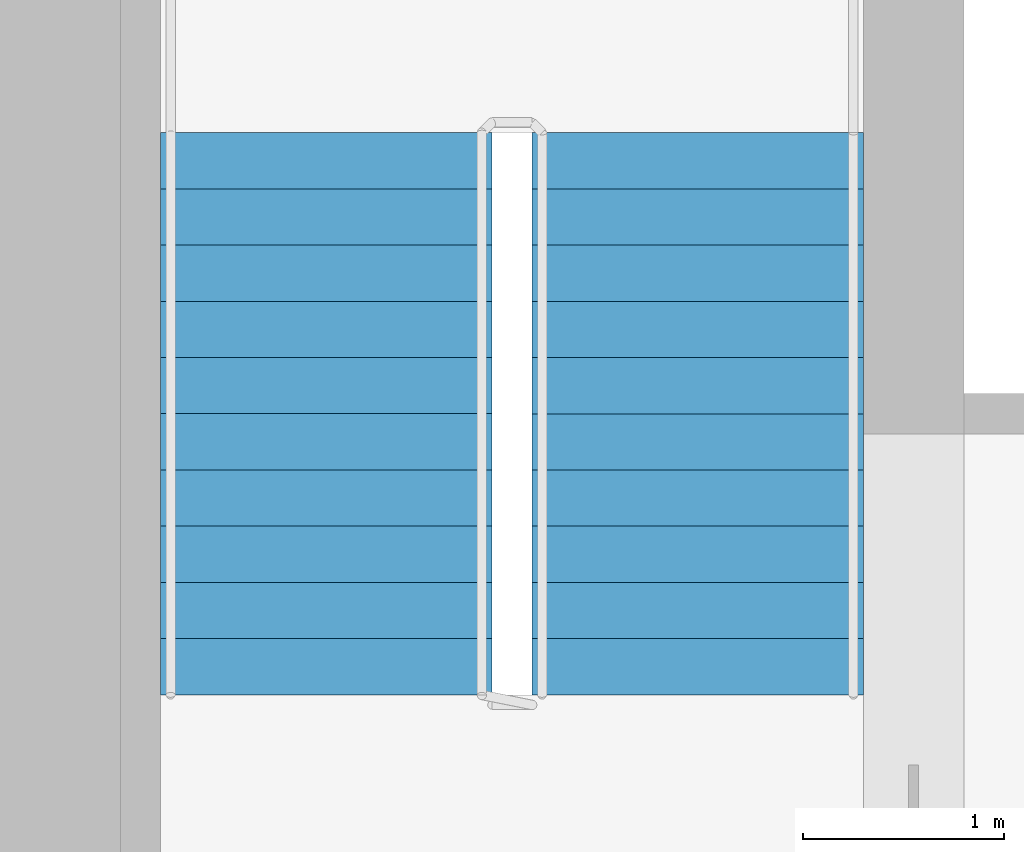
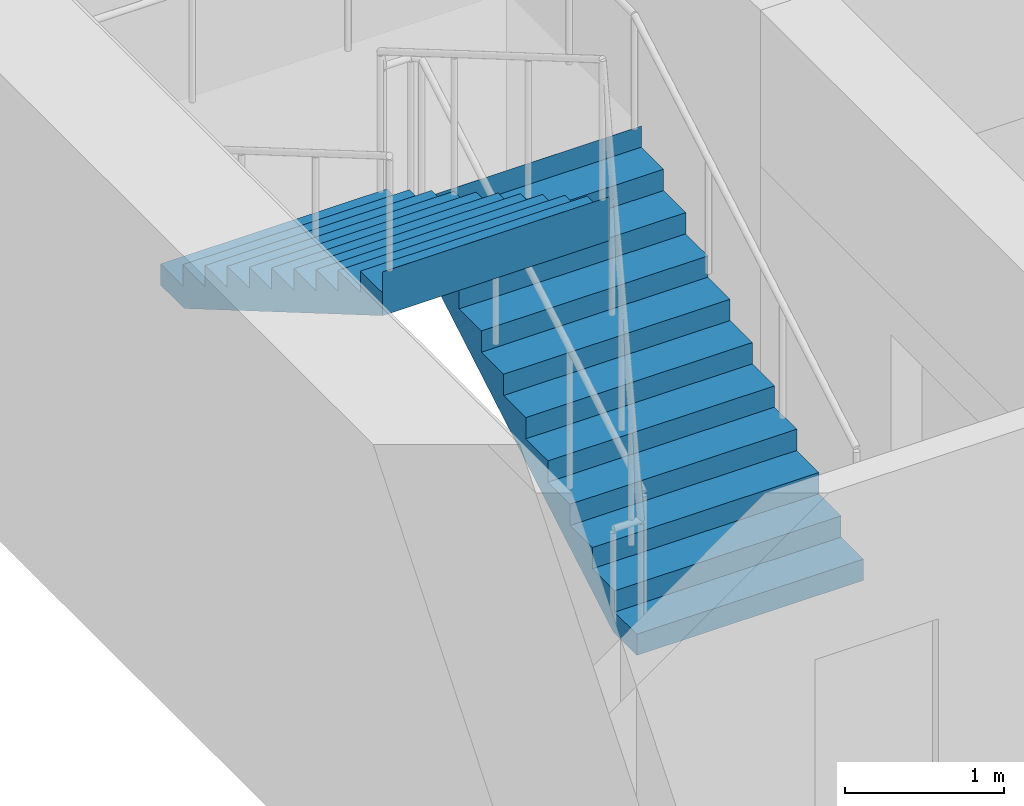
# One storey, part 13 of 14: 2 stair flights, 1 element without a shape of its own.
"""IFC4 building model written with IfcOpenShell, lengths in metres."""

from ifc_helpers import new_model, si_unit, direction, frame, origin, place, context, subcontext, project, spatial, polyline, outline, extrude, material, type_object, element, aggregate, save


model = new_model("IFC4")

# Units and contexts
model_context = context("Model", 3, precision=1e-05, world=origin(), true_north=direction((0.0, 1.0)))
body_context = subcontext(model_context, "Body", "Model", "MODEL_VIEW")
ifc_project = project(units=[si_unit("LENGTHUNIT", "METRE"), si_unit("AREAUNIT", "SQUARE_METRE"), si_unit("VOLUMEUNIT", "CUBIC_METRE"), si_unit("PLANEANGLEUNIT", "RADIAN"), si_unit("MASSUNIT", "GRAM", prefix="KILO")], contexts=[model_context])

# Site, building, storey
site_placement = place(None, origin())
site = spatial("IfcSite", under=ifc_project, at=site_placement, CompositionType="ELEMENT")
building_placement = place(site_placement, origin())
building = spatial("IfcBuilding", under=site, at=building_placement, Name="Tamorin Gate", CompositionType="ELEMENT")
storey_placement = place(building_placement, frame((0.0, 0.0, 155.39990234375)))
storey = spatial("IfcBuildingStorey", under=building, at=storey_placement, Name="L38", CompositionType="ELEMENT", Elevation=155.39990234375)

# Stair, stair flights
ifc_material = material(Name="Concrete C40/50", Category="concrete")
stair_type = type_object("IfcStairType", Name="Exit stair", PredefinedType="HALF_TURN_STAIR", material=ifc_material)
stair_placement = place(storey_placement, origin())
stair = element("IfcStair", 1, at=stair_placement, inside=storey, type_object=stair_type, Name="L38 stair ST2", PredefinedType="HALF_TURN_STAIR")
stair_flight_type = type_object("IfcStairFlightType", Name="Exit stair flight", PredefinedType="STRAIGHT", material=ifc_material)
stair_flight_1_placement = place(storey_placement, frame((33.675048828125, 77.0, 0.0), z_axis=(0.0, 0.0, 1.0), x_axis=(0.0, 1.0, 0.0)))
stair_flight_1 = element("IfcStairFlight", 2, at=stair_flight_1_placement, type_object=stair_flight_type, Name="ST2 flight 1", NumberOfRisers=11, NumberOfTreads=10, PredefinedType="STRAIGHT", RiserHeight=0.163636364, TreadLength=0.28, context=body_context, shape_type="SweptSolid", body=[
    extrude(outline(polyline([(-0.00048828125, 0.0), (-0.00048828125, 0.001708984375), (-0.00048828125, 0.003173828125), (-0.00048828125, 0.0048828125), (-0.00048828125, 0.006591796875), (-0.00048828125, 0.008056640625), (-0.00048828125, 0.009765625), (-0.00048828125, 0.01123046875), (-0.00048828125, 0.012939453125), (-0.00048828125, 0.0146484375), (-0.00048828125, 0.01611328125), (-0.00048828125, 0.017822265625), (-0.00048828125, 0.01953125), (-0.00048828125, 0.02099609375), (-0.00048828125, 0.022705078125), (-0.00048828125, 0.0244140625), (-0.00048828125, 0.02587890625), (-0.00048828125, 0.027587890625), (-0.00048828125, 0.029052734375), (-0.00048828125, 0.03076171875), (-0.00048828125, 0.032470703125), (-0.00048828125, 0.033935546875), (-0.00048828125, 0.03564453125), (-0.00048828125, 0.037353515625), (-0.00048828125, 0.038818359375), (-0.00048828125, 0.04052734375), (-0.00048828125, 0.042236328125), (-0.00048828125, 0.043701171875), (-0.00048828125, 0.04541015625), (-0.00048828125, 0.046875), (-0.00048828125, 0.048583984375), (-0.00048828125, 0.05029296875), (-0.00048828125, 0.0517578125), (-0.00048828125, 0.053466796875), (-0.00048828125, 0.05517578125), (-0.00048828125, 0.056640625), (-0.00048828125, 0.058349609375), (-0.00048828125, 0.06005859375), (-0.00048828125, 0.0615234375), (-0.00048828125, 0.063232421875), (-0.00048828125, 0.064697265625), (-0.00048828125, 0.06640625), (-0.00048828125, 0.068115234375), (-0.00048828125, 0.069580078125), (-0.00048828125, 0.0712890625), (-0.00048828125, 0.072998046875), (-0.00048828125, 0.074462890625), (-0.00048828125, 0.076171875), (-0.00048828125, 0.077880859375), (-0.00048828125, 0.079345703125), (-0.00048828125, 0.0810546875), (-0.00048828125, 0.08251953125), (-0.00048828125, 0.084228515625), (-0.00048828125, 0.0859375), (-0.00048828125, 0.08740234375), (-0.00048828125, 0.089111328125), (-0.00048828125, 0.0908203125), (-0.00048828125, 0.09228515625), (-0.00048828125, 0.093994140625), (-0.00048828125, 0.095703125), (-0.00048828125, 0.09716796875), (-0.00048828125, 0.098876953125), (-0.00048828125, 0.100341796875), (-0.00048828125, 0.10205078125), (-0.00048828125, 0.103759765625), (-0.00048828125, 0.105224609375), (-0.00048828125, 0.10693359375), (-0.00048828125, 0.108642578125), (-0.00048828125, 0.110107421875), (-0.00048828125, 0.11181640625), (-0.00048828125, 0.113525390625), (-0.00048828125, 0.114990234375), (-0.00048828125, 0.11669921875), (-0.00048828125, 0.1181640625), (-0.00048828125, 0.119873046875), (-0.00048828125, 0.12158203125), (-0.00048828125, 0.123046875), (-0.00048828125, 0.124755859375), (-0.00048828125, 0.12646484375), (-0.00048828125, 0.1279296875), (-0.00048828125, 0.129638671875), (-0.00048828125, 0.13134765625), (-0.00048828125, 0.1328125), (-0.00048828125, 0.134521484375), (-0.00048828125, 0.135986328125), (-0.00048828125, 0.1376953125), (-0.00048828125, 0.139404296875), (-0.00048828125, 0.140869140625), (-0.00048828125, 0.142578125), (-0.00048828125, 0.144287109375), (-0.00048828125, 0.145751953125), (-0.00048828125, 0.1474609375), (-0.00048828125, 0.149169921875), (-0.00048828125, 0.150634765625), (-0.00048828125, 0.15234375), (-0.00048828125, 0.15380859375), (-0.00048828125, 0.155517578125), (-0.00048828125, 0.1572265625), (-0.00048828125, 0.15869140625), (-0.00048828125, 0.160400390625), (-0.00048828125, 0.162109375), (-0.00048828125, 0.16357421875), (0.280029296875, 0.16357421875), (0.280029296875, 0.327392578125), (0.56005859375, 0.327392578125), (0.56005859375, 0.490966796875), (0.840087890625, 0.490966796875), (0.840087890625, 0.654541015625), (1.1201171875, 0.654541015625), (1.1201171875, 0.818115234375), (1.39990234375, 0.818115234375), (1.39990234375, 0.98193359375), (1.679931640625, 0.98193359375), (1.679931640625, 1.1455078125), (1.9599609375, 1.1455078125), (1.9599609375, 1.30908203125), (2.239990234375, 1.30908203125), (2.239990234375, 1.47265625), (2.52001953125, 1.47265625), (2.52001953125, 1.636474609375), (2.800048828125, 1.636474609375), (2.800048828125, 1.800048828125), (2.800537109375, 1.800048828125), (2.800537109375, 1.796630859375), (2.800537109375, 1.793212890625), (2.800537109375, 1.7900390625), (2.800537109375, 1.78662109375), (2.800537109375, 1.783203125), (2.800537109375, 1.780029296875), (2.800537109375, 1.776611328125), (2.800537109375, 1.773193359375), (2.800537109375, 1.77001953125), (2.800537109375, 1.7666015625), (2.800537109375, 1.76318359375), (2.800537109375, 1.760009765625), (2.800537109375, 1.756591796875), (2.800537109375, 1.753173828125), (2.800537109375, 1.75), (2.800537109375, 1.74658203125), (2.800537109375, 1.7431640625), (2.800537109375, 1.739990234375), (2.800537109375, 1.736572265625), (2.800537109375, 1.733154296875), (2.800537109375, 1.72998046875), (2.800537109375, 1.7265625), (2.800537109375, 1.72314453125), (2.800537109375, 1.719970703125), (2.800537109375, 1.716552734375), (2.800537109375, 1.713134765625), (2.800537109375, 1.7099609375), (2.800537109375, 1.70654296875), (2.800537109375, 1.703125), (2.800537109375, 1.69970703125), (2.800537109375, 1.696533203125), (2.800537109375, 1.693115234375), (2.800537109375, 1.689697265625), (2.800537109375, 1.6865234375), (2.800537109375, 1.68310546875), (2.800537109375, 1.6796875), (2.800537109375, 1.676513671875), (2.800537109375, 1.673095703125), (2.800537109375, 1.669677734375), (2.800537109375, 1.66650390625), (2.800537109375, 1.6630859375), (2.800537109375, 1.65966796875), (2.800537109375, 1.656494140625), (2.800537109375, 1.653076171875), (2.800537109375, 1.649658203125), (2.800537109375, 1.646484375), (2.800537109375, 1.64306640625), (2.800537109375, 1.6396484375), (2.800537109375, 1.636474609375), (2.800537109375, 1.633056640625), (2.800537109375, 1.629638671875), (2.800537109375, 1.62646484375), (2.800537109375, 1.623046875), (2.800537109375, 1.61962890625), (2.800537109375, 1.616455078125), (2.800537109375, 1.613037109375), (2.800537109375, 1.609619140625), (2.800537109375, 1.6064453125), (2.800537109375, 1.60302734375), (2.800537109375, 1.599609375), (2.800537109375, 1.59619140625), (2.800537109375, 1.593017578125), (2.800537109375, 1.589599609375), (2.800537109375, 1.586181640625), (2.800537109375, 1.5830078125), (2.800537109375, 1.57958984375), (2.800537109375, 1.576171875), (2.800537109375, 1.572998046875), (2.800537109375, 1.569580078125), (2.800537109375, 1.566162109375), (2.800537109375, 1.56298828125), (2.800537109375, 1.5595703125), (2.800537109375, 1.55615234375), (2.800537109375, 1.552978515625), (2.800537109375, 1.549560546875), (2.800537109375, 1.546142578125), (2.800537109375, 1.54296875), (2.800537109375, 1.53955078125), (2.800537109375, 1.5361328125), (2.800537109375, 1.532958984375), (2.800537109375, 1.529541015625), (2.800537109375, 1.526123046875), (2.800537109375, 1.52294921875), (2.800537109375, 1.51953125), (2.800537109375, 1.51611328125), (2.800537109375, 1.512939453125), (2.800537109375, 1.509521484375), (2.800537109375, 1.506103515625), (2.800537109375, 1.5029296875), (2.800537109375, 1.49951171875), (2.800537109375, 1.49609375), (2.800537109375, 1.49267578125), (2.800537109375, 1.489501953125), (2.800537109375, 1.486083984375), (2.800537109375, 1.482666015625), (2.800537109375, 1.4794921875), (2.800537109375, 1.47607421875), (2.800537109375, 1.47265625), (2.800537109375, 1.469482421875), (2.800537109375, 1.466064453125), (2.800537109375, 1.462646484375), (2.800048828125, 1.462646484375), (0.297119140625, 0.0), (-0.00048828125, 0.0)])), frame((0.0, 0.824951171875, 0.0), z_axis=(0.0, -1.0, 0.0), x_axis=(1.0, 0.0, 0.0)), (0.0, 0.0, 1.0), 1.64990234375),
])
stair_flight_2_placement = place(storey_placement, frame((31.824951171875, 79.800048828125, 1.800048828125), z_axis=(0.0, 0.0, 1.0), x_axis=(0.0, -1.0, 0.0)))
stair_flight_2 = element("IfcStairFlight", 3, at=stair_flight_2_placement, type_object=stair_flight_type, Name="ST2 flight 2", NumberOfRisers=11, NumberOfTreads=10, PredefinedType="STRAIGHT", RiserHeight=0.163636364, TreadLength=0.28, context=body_context, shape_type="SweptSolid", body=[
    extrude(outline(polyline([(-0.00048828125, 0.0), (-0.00048828125, 0.001708984375), (-0.00048828125, 0.003173828125), (-0.00048828125, 0.0048828125), (-0.00048828125, 0.006591796875), (-0.00048828125, 0.008056640625), (-0.00048828125, 0.009765625), (-0.00048828125, 0.01123046875), (-0.00048828125, 0.012939453125), (-0.00048828125, 0.0146484375), (-0.00048828125, 0.01611328125), (-0.00048828125, 0.017822265625), (-0.00048828125, 0.01953125), (-0.00048828125, 0.02099609375), (-0.00048828125, 0.022705078125), (-0.00048828125, 0.0244140625), (-0.00048828125, 0.02587890625), (-0.00048828125, 0.027587890625), (-0.00048828125, 0.029052734375), (-0.00048828125, 0.03076171875), (-0.00048828125, 0.032470703125), (-0.00048828125, 0.033935546875), (-0.00048828125, 0.03564453125), (-0.00048828125, 0.037353515625), (-0.00048828125, 0.038818359375), (-0.00048828125, 0.04052734375), (-0.00048828125, 0.042236328125), (-0.00048828125, 0.043701171875), (-0.00048828125, 0.04541015625), (-0.00048828125, 0.046875), (-0.00048828125, 0.048583984375), (-0.00048828125, 0.05029296875), (-0.00048828125, 0.0517578125), (-0.00048828125, 0.053466796875), (-0.00048828125, 0.05517578125), (-0.00048828125, 0.056640625), (-0.00048828125, 0.058349609375), (-0.00048828125, 0.06005859375), (-0.00048828125, 0.0615234375), (-0.00048828125, 0.063232421875), (-0.00048828125, 0.064697265625), (-0.00048828125, 0.06640625), (-0.00048828125, 0.068115234375), (-0.00048828125, 0.069580078125), (-0.00048828125, 0.0712890625), (-0.00048828125, 0.072998046875), (-0.00048828125, 0.074462890625), (-0.00048828125, 0.076171875), (-0.00048828125, 0.077880859375), (-0.00048828125, 0.079345703125), (-0.00048828125, 0.0810546875), (-0.00048828125, 0.08251953125), (-0.00048828125, 0.084228515625), (-0.00048828125, 0.0859375), (-0.00048828125, 0.08740234375), (-0.00048828125, 0.089111328125), (-0.00048828125, 0.0908203125), (-0.00048828125, 0.09228515625), (-0.00048828125, 0.093994140625), (-0.00048828125, 0.095703125), (-0.00048828125, 0.09716796875), (-0.00048828125, 0.098876953125), (-0.00048828125, 0.100341796875), (-0.00048828125, 0.10205078125), (-0.00048828125, 0.103759765625), (-0.00048828125, 0.105224609375), (-0.00048828125, 0.10693359375), (-0.00048828125, 0.108642578125), (-0.00048828125, 0.110107421875), (-0.00048828125, 0.11181640625), (-0.00048828125, 0.113525390625), (-0.00048828125, 0.114990234375), (-0.00048828125, 0.11669921875), (-0.00048828125, 0.1181640625), (-0.00048828125, 0.119873046875), (-0.00048828125, 0.12158203125), (-0.00048828125, 0.123046875), (-0.00048828125, 0.124755859375), (-0.00048828125, 0.12646484375), (-0.00048828125, 0.1279296875), (-0.00048828125, 0.129638671875), (-0.00048828125, 0.13134765625), (-0.00048828125, 0.1328125), (-0.00048828125, 0.134521484375), (-0.00048828125, 0.135986328125), (-0.00048828125, 0.1376953125), (-0.00048828125, 0.139404296875), (-0.00048828125, 0.140869140625), (-0.00048828125, 0.142578125), (-0.00048828125, 0.144287109375), (-0.00048828125, 0.145751953125), (-0.00048828125, 0.1474609375), (-0.00048828125, 0.149169921875), (-0.00048828125, 0.150634765625), (-0.00048828125, 0.15234375), (-0.00048828125, 0.15380859375), (-0.00048828125, 0.155517578125), (-0.00048828125, 0.1572265625), (-0.00048828125, 0.15869140625), (-0.00048828125, 0.160400390625), (-0.00048828125, 0.162109375), (-0.00048828125, 0.16357421875), (0.280029296875, 0.16357421875), (0.280029296875, 0.327392578125), (0.56005859375, 0.327392578125), (0.56005859375, 0.490966796875), (0.840087890625, 0.490966796875), (0.840087890625, 0.654541015625), (1.1201171875, 0.654541015625), (1.1201171875, 0.818115234375), (1.39990234375, 0.818115234375), (1.39990234375, 0.98193359375), (1.679931640625, 0.98193359375), (1.679931640625, 1.1455078125), (1.9599609375, 1.1455078125), (1.9599609375, 1.30908203125), (2.239990234375, 1.30908203125), (2.239990234375, 1.47265625), (2.52001953125, 1.47265625), (2.52001953125, 1.636474609375), (2.800048828125, 1.636474609375), (2.800048828125, 1.800048828125), (2.800537109375, 1.800048828125), (2.800537109375, 1.796630859375), (2.800537109375, 1.793212890625), (2.800537109375, 1.7900390625), (2.800537109375, 1.78662109375), (2.800537109375, 1.783203125), (2.800537109375, 1.780029296875), (2.800537109375, 1.776611328125), (2.800537109375, 1.773193359375), (2.800537109375, 1.77001953125), (2.800537109375, 1.7666015625), (2.800537109375, 1.76318359375), (2.800537109375, 1.760009765625), (2.800537109375, 1.756591796875), (2.800537109375, 1.753173828125), (2.800537109375, 1.75), (2.800537109375, 1.74658203125), (2.800537109375, 1.7431640625), (2.800537109375, 1.739990234375), (2.800537109375, 1.736572265625), (2.800537109375, 1.733154296875), (2.800537109375, 1.72998046875), (2.800537109375, 1.7265625), (2.800537109375, 1.72314453125), (2.800537109375, 1.719970703125), (2.800537109375, 1.716552734375), (2.800537109375, 1.713134765625), (2.800537109375, 1.7099609375), (2.800537109375, 1.70654296875), (2.800537109375, 1.703125), (2.800537109375, 1.69970703125), (2.800537109375, 1.696533203125), (2.800537109375, 1.693115234375), (2.800537109375, 1.689697265625), (2.800537109375, 1.6865234375), (2.800537109375, 1.68310546875), (2.800537109375, 1.6796875), (2.800537109375, 1.676513671875), (2.800537109375, 1.673095703125), (2.800537109375, 1.669677734375), (2.800537109375, 1.66650390625), (2.800537109375, 1.6630859375), (2.800537109375, 1.65966796875), (2.800537109375, 1.656494140625), (2.800537109375, 1.653076171875), (2.800537109375, 1.649658203125), (2.800537109375, 1.646484375), (2.800537109375, 1.64306640625), (2.800537109375, 1.6396484375), (2.800537109375, 1.636474609375), (2.800537109375, 1.633056640625), (2.800537109375, 1.629638671875), (2.800537109375, 1.62646484375), (2.800537109375, 1.623046875), (2.800537109375, 1.61962890625), (2.800537109375, 1.616455078125), (2.800537109375, 1.613037109375), (2.800537109375, 1.609619140625), (2.800537109375, 1.6064453125), (2.800537109375, 1.60302734375), (2.800537109375, 1.599609375), (2.800537109375, 1.59619140625), (2.800537109375, 1.593017578125), (2.800537109375, 1.589599609375), (2.800537109375, 1.586181640625), (2.800537109375, 1.5830078125), (2.800537109375, 1.57958984375), (2.800537109375, 1.576171875), (2.800537109375, 1.572998046875), (2.800537109375, 1.569580078125), (2.800537109375, 1.566162109375), (2.800537109375, 1.56298828125), (2.800537109375, 1.5595703125), (2.800537109375, 1.55615234375), (2.800537109375, 1.552978515625), (2.800537109375, 1.549560546875), (2.800537109375, 1.546142578125), (2.800537109375, 1.54296875), (2.800537109375, 1.53955078125), (2.800537109375, 1.5361328125), (2.800537109375, 1.532958984375), (2.800537109375, 1.529541015625), (2.800537109375, 1.526123046875), (2.800537109375, 1.52294921875), (2.800537109375, 1.51953125), (2.800537109375, 1.51611328125), (2.800537109375, 1.512939453125), (2.800537109375, 1.509521484375), (2.800537109375, 1.506103515625), (2.800537109375, 1.5029296875), (2.800537109375, 1.49951171875), (2.800537109375, 1.49609375), (2.800537109375, 1.49267578125), (2.800537109375, 1.489501953125), (2.800537109375, 1.486083984375), (2.800537109375, 1.482666015625), (2.800537109375, 1.4794921875), (2.800537109375, 1.47607421875), (2.800537109375, 1.47265625), (2.800537109375, 1.469482421875), (2.800537109375, 1.466064453125), (2.800537109375, 1.462646484375), (2.800048828125, 1.462646484375), (0.297119140625, 0.0), (-0.00048828125, 0.0)])), frame((0.0, 0.824951171875, 0.0), z_axis=(0.0, -1.0, 0.0), x_axis=(1.0, 0.0, 0.0)), (0.0, 0.0, 1.0), 1.64990234375),
])
aggregate(stair, [stair_flight_1, stair_flight_2])

save(model, "model.ifc")
